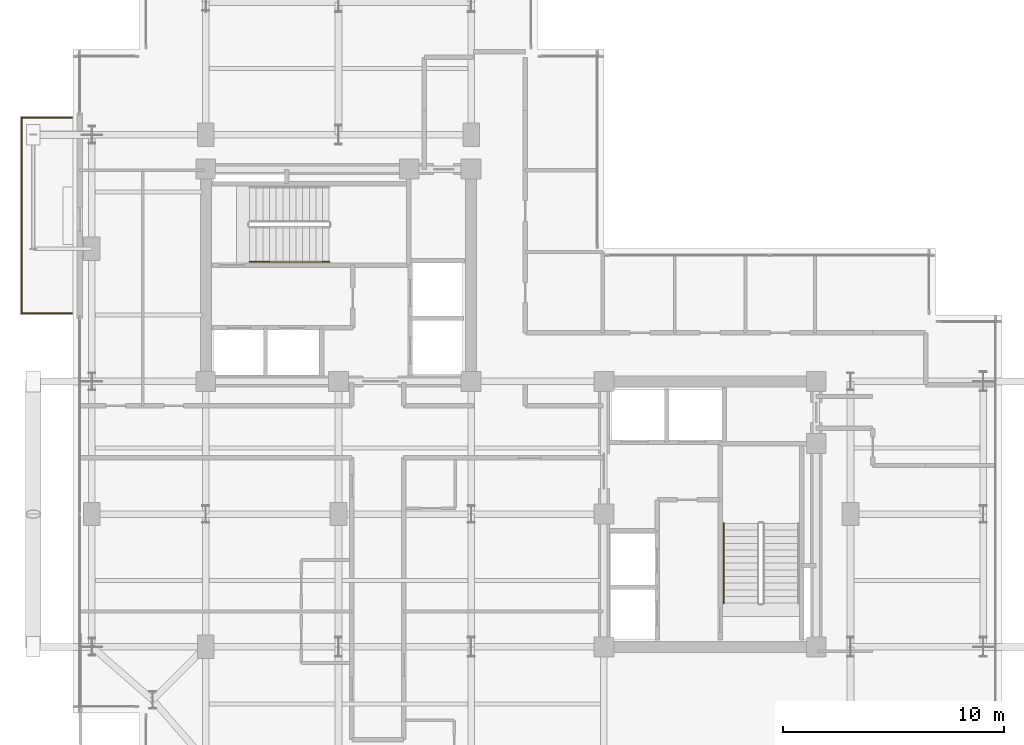
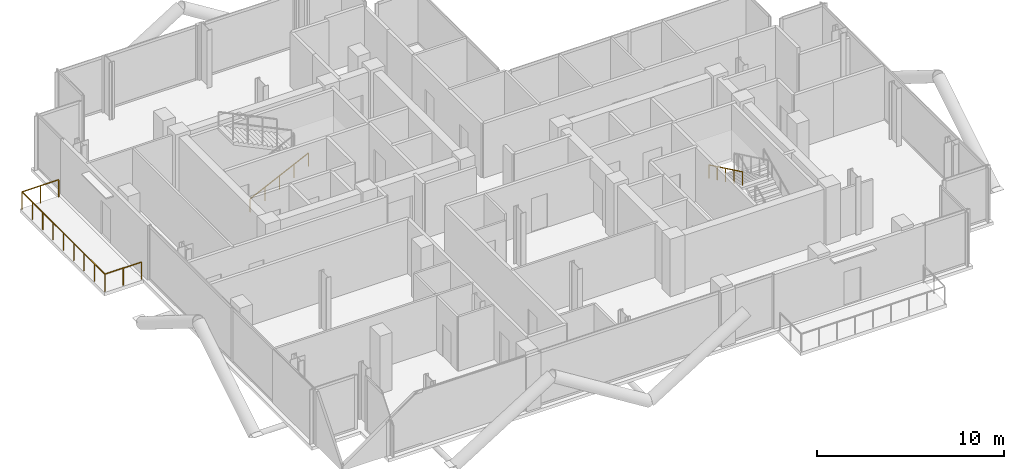
# One storey, part 23 of 25: 3 railings.
"""IFC4 building model written with IfcOpenShell, lengths in metres."""

from ifc_helpers import new_model, si_unit, direction, frame, origin, origin_2d, place, context, subcontext, project, spatial, rectangle, extrude, material, type_object, element, save


model = new_model("IFC4")

# Units and contexts
model_context = context("Model", 3, precision=1e-05, world=origin(), true_north=direction((0.0, 1.0)))
body_context = subcontext(model_context, "Body", "Model", "MODEL_VIEW")
ifc_project = project(units=[si_unit("LENGTHUNIT", "METRE"), si_unit("AREAUNIT", "SQUARE_METRE"), si_unit("VOLUMEUNIT", "CUBIC_METRE"), si_unit("PLANEANGLEUNIT", "RADIAN"), si_unit("MASSUNIT", "GRAM", prefix="KILO"), si_unit("THERMODYNAMICTEMPERATUREUNIT", "KELVIN"), si_unit("POWERUNIT", "WATT")], contexts=[model_context])

# Site, building, storey
site_placement = place(None, origin())
site = spatial("IfcSite", under=ifc_project, at=site_placement, CompositionType="ELEMENT")
building_placement = place(site_placement, origin())
building = spatial("IfcBuilding", under=site, at=building_placement, Name="Svarakhadi Broadcast Tower", CompositionType="ELEMENT")
storey_placement = place(building_placement, frame((0.0, 0.0, 212.39990234375)))
storey = spatial("IfcBuildingStorey", under=building, at=storey_placement, Name="L52", CompositionType="ELEMENT", Elevation=212.39990234375)

# Railings
ifc_material_1 = material(Name="Laminated Structural SentryGlas Balustrade 25.5 mm", Category="glass")
railing_type_1 = type_object("IfcRailingType", Name="Guard_Balcony_GR01", PredefinedType="BALUSTRADE", material=ifc_material_1)
railing_1_placement = place(storey_placement, frame((-0.06005859375, 21.080078125, 0.0)))
element("IfcRailing", 1, at=railing_1_placement, inside=storey, type_object=railing_type_1, Name="L52 West Tree Balcony Guard GR-05", PredefinedType="BALUSTRADE", context=body_context, shape_type="SweptSolid", body=[
    extrude(rectangle(XDim=0.048095703125, YDim=0.048095703125, at=origin_2d()), frame((0.0, 0.0, 1.1259765625), z_axis=(-1.0, 0.0, 0.0), x_axis=(0.0, -1.0, 0.0)), (0.0, 0.0, 1.0), 2.260009765625),
    extrude(rectangle(XDim=0.048095703125, YDim=0.048095703125, at=origin_2d()), frame((-2.260009765625, 0.0, 1.1259765625), z_axis=(0.0, 1.0, 0.0), x_axis=(-1.0, 0.0, 0.0)), (0.0, 0.0, 1.0), 8.83984375),
    extrude(rectangle(XDim=0.048095703125, YDim=0.048095703125, at=origin_2d()), frame((-2.260009765625, 8.83984375, 1.1259765625), z_axis=(1.0, 0.0, 0.0), x_axis=(0.0, 1.0, 0.0)), (0.0, 0.0, 1.0), 2.260009765625),
    extrude(rectangle(XDim=0.0419921875, YDim=0.0419921875, at=origin_2d()), origin(), (0.0, 0.0, 1.0), 1.101806640625),
    extrude(rectangle(XDim=0.0419921875, YDim=0.0419921875, at=origin_2d()), frame((-1.1298828125, 0.0, 0.0)), (0.0, 0.0, 1.0), 1.101806640625),
    extrude(rectangle(XDim=0.0419921875, YDim=0.0419921875, at=origin_2d()), frame((-2.260009765625, 0.0, 0.0)), (0.0, 0.0, 1.0), 1.101806640625),
    extrude(rectangle(XDim=0.0419921875, YDim=0.0419921875, at=origin_2d()), frame((-2.260009765625, 1.10498046875, 0.0)), (0.0, 0.0, 1.0), 1.101806640625),
    extrude(rectangle(XDim=0.0419921875, YDim=0.0419921875, at=origin_2d()), frame((-2.260009765625, 2.2099609375, 0.0)), (0.0, 0.0, 1.0), 1.101806640625),
    extrude(rectangle(XDim=0.0419921875, YDim=0.0419921875, at=origin_2d()), frame((-2.260009765625, 3.31494140625, 0.0)), (0.0, 0.0, 1.0), 1.101806640625),
    extrude(rectangle(XDim=0.0419921875, YDim=0.0419921875, at=origin_2d()), frame((-2.260009765625, 4.419921875, 0.0)), (0.0, 0.0, 1.0), 1.101806640625),
    extrude(rectangle(XDim=0.0419921875, YDim=0.0419921875, at=origin_2d()), frame((-2.260009765625, 5.52490234375, 0.0)), (0.0, 0.0, 1.0), 1.101806640625),
    extrude(rectangle(XDim=0.0419921875, YDim=0.0419921875, at=origin_2d()), frame((-2.260009765625, 6.6298828125, 0.0)), (0.0, 0.0, 1.0), 1.101806640625),
    extrude(rectangle(XDim=0.0419921875, YDim=0.0419921875, at=origin_2d()), frame((-2.260009765625, 7.73486328125, 0.0)), (0.0, 0.0, 1.0), 1.101806640625),
    extrude(rectangle(XDim=0.0419921875, YDim=0.0419921875, at=origin_2d()), frame((-2.260009765625, 8.83984375, 0.0)), (0.0, 0.0, 1.0), 1.101806640625),
    extrude(rectangle(XDim=0.0419921875, YDim=0.0419921875, at=origin_2d()), frame((-1.1298828125, 8.83984375, 0.0)), (0.0, 0.0, 1.0), 1.101806640625),
    extrude(rectangle(XDim=0.0419921875, YDim=0.0419921875, at=origin_2d()), frame((0.0, 8.83984375, 0.0)), (0.0, 0.0, 1.0), 1.101806640625),
])
ifc_material_2 = material(Name="Anodised Bronze Aluminium AA 6063-T6", Category="aluminium")
railing_type_2 = type_object("IfcRailingType", Name="Handrail_Stair_HR01", PredefinedType="HANDRAIL", material=ifc_material_2)
railing_2_placement = place(storey_placement, frame((7.97998046875, 23.409912109375, 0.144287109375)))
element("IfcRailing", 2, at=railing_2_placement, inside=storey, type_object=railing_type_2, Name="L52 ST-01 stair handrail 1", PredefinedType="HANDRAIL", context=body_context, shape_type="SweptSolid", body=[
    extrude(rectangle(XDim=0.048095703125, YDim=0.048095703125, at=origin_2d()), frame((0.0, 0.0, 0.8759765625), z_axis=(0.901262522062, 0.0, 0.433273431364), x_axis=(0.0, 1.0, 0.0)), (0.0, 0.0, 1.0), 3.994384765625),
    extrude(rectangle(XDim=0.0419921875, YDim=0.0419921875, at=origin_2d()), origin(), (0.0, 0.0, 1.0), 0.851806640625),
    extrude(rectangle(XDim=0.0419921875, YDim=0.0419921875, at=origin_2d()), frame((0.89990234375, 0.0, 0.4326171875)), (0.0, 0.0, 1.0), 0.851806640625),
    extrude(rectangle(XDim=0.0419921875, YDim=0.0419921875, at=origin_2d()), frame((1.800048828125, 0.0, 0.865234375)), (0.0, 0.0, 1.0), 0.851806640625),
    extrude(rectangle(XDim=0.0419921875, YDim=0.0419921875, at=origin_2d()), frame((2.7001953125, 0.0, 1.298095703125)), (0.0, 0.0, 1.0), 0.851806640625),
    extrude(rectangle(XDim=0.0419921875, YDim=0.0419921875, at=origin_2d()), frame((3.60009765625, 0.0, 1.730712890625)), (0.0, 0.0, 1.0), 0.851806640625),
])
railing_3_placement = place(storey_placement, frame((29.409912109375, 11.580078125, 2.019287109375)))
element("IfcRailing", 3, at=railing_3_placement, inside=storey, type_object=railing_type_2, Name="L52 ST-02 stair handrail 2", PredefinedType="HANDRAIL", context=body_context, shape_type="SweptSolid", body=[
    extrude(rectangle(XDim=0.048095703125, YDim=0.048095703125, at=origin_2d()), frame((0.0, 0.0, 0.8759765625), z_axis=(0.0, -0.901262522062, 0.433273431364), x_axis=(1.0, 0.0, 0.0)), (0.0, 0.0, 1.0), 3.994384765625),
    extrude(rectangle(XDim=0.0419921875, YDim=0.0419921875, at=origin_2d()), origin(), (0.0, 0.0, 1.0), 0.851806640625),
    extrude(rectangle(XDim=0.0419921875, YDim=0.0419921875, at=origin_2d()), frame((0.0, -0.89990234375, 0.4326171875)), (0.0, 0.0, 1.0), 0.851806640625),
    extrude(rectangle(XDim=0.0419921875, YDim=0.0419921875, at=origin_2d()), frame((0.0, -1.800048828125, 0.865234375)), (0.0, 0.0, 1.0), 0.851806640625),
    extrude(rectangle(XDim=0.0419921875, YDim=0.0419921875, at=origin_2d()), frame((0.0, -2.7001953125, 1.298095703125)), (0.0, 0.0, 1.0), 0.851806640625),
    extrude(rectangle(XDim=0.0419921875, YDim=0.0419921875, at=origin_2d()), frame((0.0, -3.60009765625, 1.730712890625)), (0.0, 0.0, 1.0), 0.851806640625),
])

save(model, "model.ifc")
